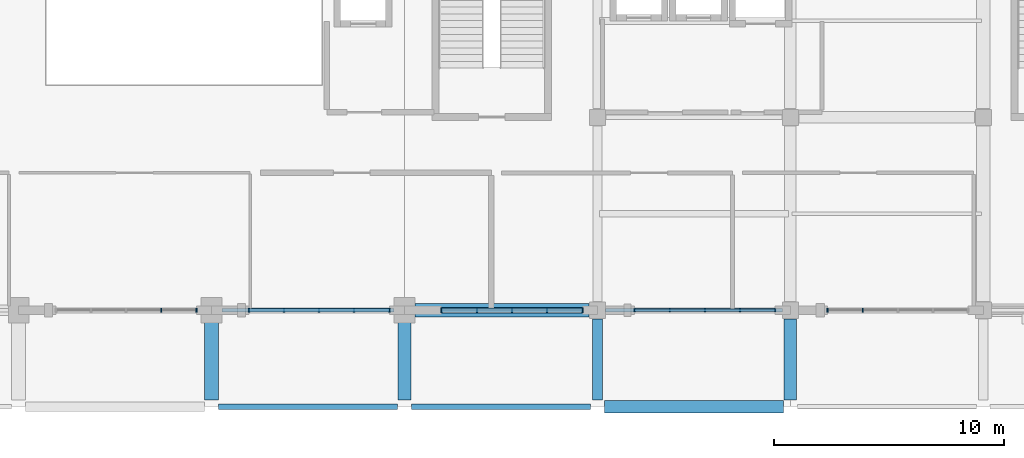
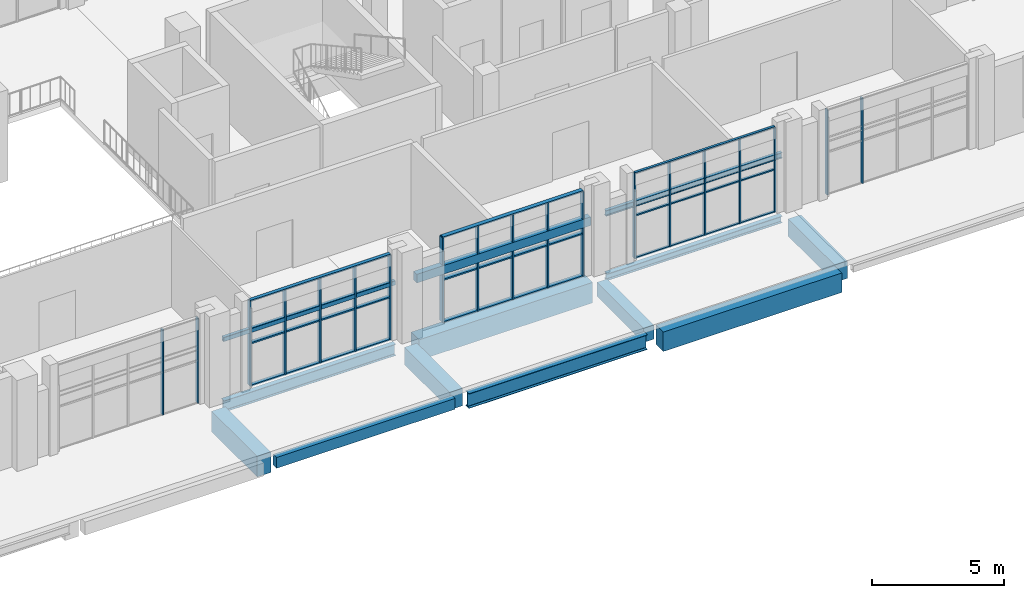
# One storey, part 16 of 59: 28 members, 13 beams, 5 elements without a shape of their own.
"""IFC4 building model written with IfcOpenShell, lengths in metres."""

from ifc_helpers import new_model, si_unit, derived_unit, direction, frame, origin, origin_2d, place, context, subcontext, project, spatial, rectangle, hollow_rectangle, i_section, extrude, material, material_profile, profile_set, type_object, element, aggregate, save


model = new_model("IFC4")

# Units and contexts
model_context = context("Model", 3, precision=1e-05, world=origin(), true_north=direction((0.0, 1.0)))
body_context = subcontext(model_context, "Body", "Model", "MODEL_VIEW")
ifc_project = project(units=[si_unit("LENGTHUNIT", "METRE"), si_unit("AREAUNIT", "SQUARE_METRE"), si_unit("VOLUMEUNIT", "CUBIC_METRE"), si_unit("PLANEANGLEUNIT", "RADIAN"), si_unit("MASSUNIT", "GRAM", prefix="KILO"), derived_unit("THERMALTRANSMITTANCEUNIT", [(si_unit("POWERUNIT", "WATT"), 1), (si_unit("LENGTHUNIT", "METRE"), -2), (si_unit("THERMODYNAMICTEMPERATUREUNIT", "KELVIN"), -1)])], contexts=[model_context])

# Site, building, storey
site_placement = place(None, origin())
site = spatial("IfcSite", under=ifc_project, at=site_placement, CompositionType="ELEMENT")
building_placement = place(site_placement, origin())
building = spatial("IfcBuilding", under=site, at=building_placement, Name="Barrovel Congress Hotel", CompositionType="ELEMENT")
storey_placement = place(building_placement, frame((0.0, 0.0, 9.89990234375)))
storey = spatial("IfcBuildingStorey", under=building, at=storey_placement, Name="L02", CompositionType="ELEMENT", Elevation=9.89990234375)

# Beams
ifc_material_1 = material(Name="Concrete C40", Category="concrete")
ifc_material_profile_1 = material_profile(ifc_material_1, rectangle(XDim=0.25, YDim=0.39990234375, at=origin_2d()), Name="RC250x400")
ifc_profile_set_1 = profile_set([ifc_material_profile_1], Name="Concrete C40")
beam_type_1 = type_object("IfcBeamType", Name="BM-RC250x400", PredefinedType="LINTEL", material=ifc_profile_set_1)
beam_1_placement = place(storey_placement, frame((76.050048828125, 4.199951171875, 2.4501953125), z_axis=(1.0, 0.0, 0.0), x_axis=(0.0, 1.0, 0.0)))
element("IfcBeam", 1, at=beam_1_placement, inside=storey, type_object=beam_type_1, Name="LIN:L02:75.6-84.0", PredefinedType="LINTEL", context=body_context, shape_type="SweptSolid", body=[
    extrude(rectangle(XDim=0.25, YDim=0.39990234375, at=origin_2d()), origin(), (0.0, 0.0, 1.0), 7.599853515625),
])
ifc_material_profile_2 = material_profile(ifc_material_1, rectangle(XDim=0.25, YDim=0.5, at=origin_2d()), Name="RC250x500")
ifc_profile_set_2 = profile_set([ifc_material_profile_2], Name="Concrete C40")
beam_type_2 = type_object("IfcBeamType", Name="BM-RC250x500", PredefinedType="SPANDREL", material=ifc_profile_set_2)
beam_2_placement = place(storey_placement, frame((67.5, 0.0, -0.510009765625), z_axis=(1.0, 0.0, 0.0), x_axis=(0.0, 1.0, 0.0)))
element("IfcBeam", 2, at=beam_2_placement, inside=storey, type_object=beam_type_2, Name="BMX:L02:0.0:67.2-75.6", PredefinedType="SPANDREL", context=body_context, shape_type="SweptSolid", body=[
    extrude(rectangle(XDim=0.25, YDim=0.5, at=origin_2d()), origin(), (0.0, 0.0, 1.0), 7.800048828125),
])
ifc_material_profile_3 = material_profile(ifc_material_1, rectangle(XDim=0.449951171875, YDim=0.64990234375, at=origin_2d()), Name="RC450x650")
ifc_profile_set_3 = profile_set([ifc_material_profile_3], Name="Concrete C40")
beam_type_3 = type_object("IfcBeamType", Name="BM-RC450x650", PredefinedType="BEAM", material=ifc_profile_set_3)
beam_3_placement = place(storey_placement, frame((84.0, 0.300048828125, -0.5849609375), z_axis=(0.0, 1.0, 0.0), x_axis=(-1.0, 0.0, 0.0)))
element("IfcBeam", 3, at=beam_3_placement, inside=storey, type_object=beam_type_3, Name="BMY:L02:84.0:0.0-4.2", PredefinedType="BEAM", context=body_context, shape_type="SweptSolid", body=[
    extrude(rectangle(XDim=0.449951171875, YDim=0.64990234375, at=origin_2d()), origin(), (0.0, 0.0, 1.0), 3.52490234375),
])
ifc_material_profile_4 = material_profile(ifc_material_1, rectangle(XDim=0.550048828125, YDim=0.800048828125, at=origin_2d()), Name="RC550x800")
ifc_profile_set_4 = profile_set([ifc_material_profile_4], Name="Concrete C40")
beam_type_4 = type_object("IfcBeamType", Name="BM-RC550x800", PredefinedType="BEAM", material=ifc_profile_set_4)
beam_4_placement = place(storey_placement, frame((75.60009765625, 0.300048828125, -0.659912109375), z_axis=(0.0, 1.0, 0.0), x_axis=(-1.0, 0.0, 0.0)))
element("IfcBeam", 4, at=beam_4_placement, inside=storey, type_object=beam_type_4, Name="BMY:L02:75.6:0.0-4.2", PredefinedType="BEAM", context=body_context, shape_type="SweptSolid", body=[
    extrude(rectangle(XDim=0.550048828125, YDim=0.800048828125, at=origin_2d()), origin(), (0.0, 0.0, 1.0), 3.449951171875),
])
beam_5_placement = place(storey_placement, frame((92.39990234375, 0.300048828125, -0.659912109375), z_axis=(0.0, 1.0, 0.0), x_axis=(-1.0, 0.0, 0.0)))
element("IfcBeam", 5, at=beam_5_placement, inside=storey, type_object=beam_type_4, Name="BMY:L02:92.4:0.0-4.2", PredefinedType="BEAM", context=body_context, shape_type="SweptSolid", body=[
    extrude(rectangle(XDim=0.550048828125, YDim=0.800048828125, at=origin_2d()), origin(), (0.0, 0.0, 1.0), 3.52490234375),
])
ifc_material_profile_5 = material_profile(ifc_material_1, rectangle(XDim=0.550048828125, YDim=0.89990234375, at=origin_2d()), Name="RC550x900")
ifc_profile_set_5 = profile_set([ifc_material_profile_5], Name="Concrete C40")
beam_type_5 = type_object("IfcBeamType", Name="BM-RC550x900", PredefinedType="BEAM", material=ifc_profile_set_5)
beam_6_placement = place(storey_placement, frame((84.300048828125, 0.0, -0.7099609375), z_axis=(1.0, 0.0, 0.0), x_axis=(0.0, 1.0, 0.0)))
element("IfcBeam", 6, at=beam_6_placement, inside=storey, type_object=beam_type_5, Name="BMX:L02:0.0:84.0-92.4", PredefinedType="BEAM", context=body_context, shape_type="SweptSolid", body=[
    extrude(rectangle(XDim=0.550048828125, YDim=0.89990234375, at=origin_2d()), origin(), (0.0, 0.0, 1.0), 7.800048828125),
])
ifc_material_profile_6 = material_profile(ifc_material_1, rectangle(XDim=0.60009765625, YDim=0.949951171875, at=origin_2d()), Name="RC600x950")
ifc_profile_set_6 = profile_set([ifc_material_profile_6], Name="Concrete C40")
beam_type_6 = type_object("IfcBeamType", Name="BM-RC600x950", PredefinedType="BEAM", material=ifc_profile_set_6)
beam_7_placement = place(storey_placement, frame((76.050048828125, 4.199951171875, -0.73486328125), z_axis=(1.0, 0.0, 0.0), x_axis=(0.0, 1.0, 0.0)))
element("IfcBeam", 7, at=beam_7_placement, inside=storey, type_object=beam_type_6, Name="BMX:L02:4.2:75.6-84.0", PredefinedType="BEAM", context=body_context, shape_type="SweptSolid", body=[
    extrude(rectangle(XDim=0.60009765625, YDim=0.949951171875, at=origin_2d()), origin(), (0.0, 0.0, 1.0), 7.574951171875),
])
beam_8_placement = place(storey_placement, frame((67.199951171875, 0.300048828125, -0.73486328125), z_axis=(0.0, 1.0, 0.0), x_axis=(-1.0, 0.0, 0.0)))
element("IfcBeam", 8, at=beam_8_placement, inside=storey, type_object=beam_type_6, Name="BMY:L02:67.2:0.0-4.2", PredefinedType="BEAM", context=body_context, shape_type="SweptSolid", body=[
    extrude(rectangle(XDim=0.60009765625, YDim=0.949951171875, at=origin_2d()), origin(), (0.0, 0.0, 1.0), 3.449951171875),
])

# Curtain wall, members
ifc_material_2 = material(Name="Anodised Aluminium Alloy 6063-T6", Category="aluminium")
curtain_wall_type = type_object("IfcCurtainWallType", Name="CW-ST-7200x3600", PredefinedType="USERDEFINED", material=ifc_material_2)
curtain_wall_1_placement = place(storey_placement, origin())
curtain_wall_1 = element("IfcCurtainWall", 9, at=curtain_wall_1_placement, inside=storey, type_object=curtain_wall_type, Name="CW:L02:S:10", ObjectType="STICK CURTAIN WALL", PredefinedType="USERDEFINED")
ifc_material_profile_7 = material_profile(ifc_material_2, rectangle(XDim=0.06005859375, YDim=0.139892578125, at=origin_2d()), Name="AL-M60x140")
ifc_profile_set_7 = profile_set([ifc_material_profile_7], Name="Anodised Aluminium Alloy 6063-T6")
member_type_1 = type_object("IfcMemberType", Name="CWM-AL-M60x140", PredefinedType="MULLION", material=ifc_profile_set_7)
member_1_placement = place(storey_placement, frame((85.6201171875, 4.199951171875, 0.0), z_axis=(0.0, 0.0, 1.0), x_axis=(1.0, 0.0, 0.0)))
member_1 = element("IfcMember", 10, at=member_1_placement, type_object=member_type_1, Name="CW:L02:S:10:M0", PredefinedType="MULLION", context=body_context, shape_type="SweptSolid", body=[
    extrude(rectangle(XDim=0.06005859375, YDim=0.139892578125, at=origin_2d()), origin(), (0.0, 0.0, 1.0), 3.920166015625),
])
member_2_placement = place(storey_placement, frame((87.14990234375, 4.199951171875, 0.0), z_axis=(0.0, 0.0, 1.0), x_axis=(1.0, 0.0, 0.0)))
member_2 = element("IfcMember", 11, at=member_2_placement, type_object=member_type_1, Name="CW:L02:S:10:M1", PredefinedType="MULLION", context=body_context, shape_type="SweptSolid", body=[
    extrude(rectangle(XDim=0.06005859375, YDim=0.139892578125, at=origin_2d()), origin(), (0.0, 0.0, 1.0), 3.920166015625),
])
member_3_placement = place(storey_placement, frame((88.679931640625, 4.199951171875, 0.0), z_axis=(0.0, 0.0, 1.0), x_axis=(1.0, 0.0, 0.0)))
member_3 = element("IfcMember", 12, at=member_3_placement, type_object=member_type_1, Name="CW:L02:S:10:M2", PredefinedType="MULLION", context=body_context, shape_type="SweptSolid", body=[
    extrude(rectangle(XDim=0.06005859375, YDim=0.139892578125, at=origin_2d()), origin(), (0.0, 0.0, 1.0), 3.920166015625),
])
member_4_placement = place(storey_placement, frame((90.2099609375, 4.199951171875, 0.0), z_axis=(0.0, 0.0, 1.0), x_axis=(1.0, 0.0, 0.0)))
member_4 = element("IfcMember", 13, at=member_4_placement, type_object=member_type_1, Name="CW:L02:S:10:M3", PredefinedType="MULLION", context=body_context, shape_type="SweptSolid", body=[
    extrude(rectangle(XDim=0.06005859375, YDim=0.139892578125, at=origin_2d()), origin(), (0.0, 0.0, 1.0), 3.920166015625),
])
member_5_placement = place(storey_placement, frame((91.739990234375, 4.199951171875, 0.0), z_axis=(0.0, 0.0, 1.0), x_axis=(1.0, 0.0, 0.0)))
member_5 = element("IfcMember", 14, at=member_5_placement, type_object=member_type_1, Name="CW:L02:S:10:M4", PredefinedType="MULLION", context=body_context, shape_type="SweptSolid", body=[
    extrude(rectangle(XDim=0.06005859375, YDim=0.139892578125, at=origin_2d()), origin(), (0.0, 0.0, 1.0), 3.920166015625),
])

curtain_wall_2_placement = place(storey_placement, origin())
curtain_wall_2 = element("IfcCurtainWall", 15, at=curtain_wall_2_placement, inside=storey, type_object=curtain_wall_type, Name="CW:L02:S:07", ObjectType="STICK CURTAIN WALL", PredefinedType="USERDEFINED")
ifc_material_profile_8 = material_profile(ifc_material_2, rectangle(XDim=0.06005859375, YDim=0.1650390625, at=origin_2d()), Name="AL-M60x165")
ifc_profile_set_8 = profile_set([ifc_material_profile_8], Name="Anodised Aluminium Alloy 6063-T6")
member_type_2 = type_object("IfcMemberType", Name="CWM-AL-M60x165", PredefinedType="MULLION", material=ifc_profile_set_8)
member_6_placement = place(storey_placement, frame((65.010009765625, 4.199951171875, 0.0), z_axis=(0.0, 0.0, 1.0), x_axis=(1.0, 0.0, 0.0)))
member_6 = element("IfcMember", 16, at=member_6_placement, type_object=member_type_2, Name="CW:L02:S:07:M3", PredefinedType="MULLION", context=body_context, shape_type="SweptSolid", body=[
    extrude(rectangle(XDim=0.06005859375, YDim=0.1650390625, at=origin_2d()), origin(), (0.0, 0.0, 1.0), 3.920166015625),
])
member_7_placement = place(storey_placement, frame((66.5400390625, 4.199951171875, 0.0), z_axis=(0.0, 0.0, 1.0), x_axis=(1.0, 0.0, 0.0)))
member_7 = element("IfcMember", 17, at=member_7_placement, type_object=member_type_2, Name="CW:L02:S:07:M4", PredefinedType="MULLION", context=body_context, shape_type="SweptSolid", body=[
    extrude(rectangle(XDim=0.06005859375, YDim=0.1650390625, at=origin_2d()), origin(), (0.0, 0.0, 1.0), 3.920166015625),
])
aggregate(curtain_wall_2, [member_6, member_7])

curtain_wall_3_placement = place(storey_placement, origin())
curtain_wall_3 = element("IfcCurtainWall", 18, at=curtain_wall_3_placement, inside=storey, type_object=curtain_wall_type, Name="CW:L02:S:11", ObjectType="STICK CURTAIN WALL", PredefinedType="USERDEFINED")
member_8_placement = place(storey_placement, frame((94.02001953125, 4.199951171875, 0.0), z_axis=(0.0, 0.0, 1.0), x_axis=(1.0, 0.0, 0.0)))
member_8 = element("IfcMember", 19, at=member_8_placement, type_object=member_type_2, Name="CW:L02:S:11:M0", PredefinedType="MULLION", context=body_context, shape_type="SweptSolid", body=[
    extrude(rectangle(XDim=0.06005859375, YDim=0.1650390625, at=origin_2d()), origin(), (0.0, 0.0, 1.0), 3.920166015625),
])
member_9_placement = place(storey_placement, frame((95.550048828125, 4.199951171875, 0.0), z_axis=(0.0, 0.0, 1.0), x_axis=(1.0, 0.0, 0.0)))
member_9 = element("IfcMember", 20, at=member_9_placement, type_object=member_type_2, Name="CW:L02:S:11:M1", PredefinedType="MULLION", context=body_context, shape_type="SweptSolid", body=[
    extrude(rectangle(XDim=0.06005859375, YDim=0.1650390625, at=origin_2d()), origin(), (0.0, 0.0, 1.0), 3.920166015625),
])
aggregate(curtain_wall_3, [member_8, member_9])

curtain_wall_4_placement = place(storey_placement, origin())
curtain_wall_4 = element("IfcCurtainWall", 21, at=curtain_wall_4_placement, inside=storey, type_object=curtain_wall_type, Name="CW:L02:S:08", ObjectType="STICK CURTAIN WALL", PredefinedType="USERDEFINED")
ifc_material_profile_9 = material_profile(ifc_material_2, rectangle(XDim=0.06494140625, YDim=0.18994140625, at=origin_2d()), Name="AL-M65x190")
ifc_profile_set_9 = profile_set([ifc_material_profile_9], Name="Anodised Aluminium Alloy 6063-T6")
member_type_3 = type_object("IfcMemberType", Name="CWM-AL-M65x190", PredefinedType="MULLION", material=ifc_profile_set_9)
member_10_placement = place(storey_placement, frame((68.820068359375, 4.199951171875, 0.0), z_axis=(0.0, 0.0, 1.0), x_axis=(1.0, 0.0, 0.0)))
member_10 = element("IfcMember", 22, at=member_10_placement, type_object=member_type_3, Name="CW:L02:S:08:M0", PredefinedType="MULLION", context=body_context, shape_type="SweptSolid", body=[
    extrude(rectangle(XDim=0.06494140625, YDim=0.18994140625, at=origin_2d()), origin(), (0.0, 0.0, 1.0), 3.920166015625),
])
member_11_placement = place(storey_placement, frame((70.35009765625, 4.199951171875, 0.0), z_axis=(0.0, 0.0, 1.0), x_axis=(1.0, 0.0, 0.0)))
member_11 = element("IfcMember", 23, at=member_11_placement, type_object=member_type_3, Name="CW:L02:S:08:M1", PredefinedType="MULLION", context=body_context, shape_type="SweptSolid", body=[
    extrude(rectangle(XDim=0.06494140625, YDim=0.18994140625, at=origin_2d()), origin(), (0.0, 0.0, 1.0), 3.920166015625),
])
member_12_placement = place(storey_placement, frame((71.8798828125, 4.199951171875, 0.0), z_axis=(0.0, 0.0, 1.0), x_axis=(1.0, 0.0, 0.0)))
member_12 = element("IfcMember", 24, at=member_12_placement, type_object=member_type_3, Name="CW:L02:S:08:M2", PredefinedType="MULLION", context=body_context, shape_type="SweptSolid", body=[
    extrude(rectangle(XDim=0.06494140625, YDim=0.18994140625, at=origin_2d()), origin(), (0.0, 0.0, 1.0), 3.920166015625),
])
member_13_placement = place(storey_placement, frame((73.409912109375, 4.199951171875, 0.0), z_axis=(0.0, 0.0, 1.0), x_axis=(1.0, 0.0, 0.0)))
member_13 = element("IfcMember", 25, at=member_13_placement, type_object=member_type_3, Name="CW:L02:S:08:M3", PredefinedType="MULLION", context=body_context, shape_type="SweptSolid", body=[
    extrude(rectangle(XDim=0.06494140625, YDim=0.18994140625, at=origin_2d()), origin(), (0.0, 0.0, 1.0), 3.920166015625),
])
member_14_placement = place(storey_placement, frame((74.93994140625, 4.199951171875, 0.0), z_axis=(0.0, 0.0, 1.0), x_axis=(1.0, 0.0, 0.0)))
member_14 = element("IfcMember", 26, at=member_14_placement, type_object=member_type_3, Name="CW:L02:S:08:M4", PredefinedType="MULLION", context=body_context, shape_type="SweptSolid", body=[
    extrude(rectangle(XDim=0.06494140625, YDim=0.18994140625, at=origin_2d()), origin(), (0.0, 0.0, 1.0), 3.920166015625),
])

curtain_wall_5_placement = place(storey_placement, origin())
curtain_wall_5 = element("IfcCurtainWall", 27, at=curtain_wall_5_placement, inside=storey, type_object=curtain_wall_type, Name="CW:L02:S:09", ObjectType="STICK CURTAIN WALL", PredefinedType="USERDEFINED")
ifc_material_profile_10 = material_profile(ifc_material_2, rectangle(XDim=0.06494140625, YDim=0.219970703125, at=origin_2d()), Name="AL-M65x220")
ifc_profile_set_10 = profile_set([ifc_material_profile_10], Name="Anodised Aluminium Alloy 6063-T6")
member_type_4 = type_object("IfcMemberType", Name="CWM-AL-M65x220", PredefinedType="MULLION", material=ifc_profile_set_10)
member_15_placement = place(storey_placement, frame((77.219970703125, 4.199951171875, 0.0), z_axis=(0.0, 0.0, 1.0), x_axis=(1.0, 0.0, 0.0)))
member_15 = element("IfcMember", 28, at=member_15_placement, type_object=member_type_4, Name="CW:L02:S:09:M0", PredefinedType="MULLION", context=body_context, shape_type="SweptSolid", body=[
    extrude(rectangle(XDim=0.06494140625, YDim=0.219970703125, at=origin_2d()), origin(), (0.0, 0.0, 1.0), 3.920166015625),
])
member_16_placement = place(storey_placement, frame((78.75, 4.199951171875, 0.0), z_axis=(0.0, 0.0, 1.0), x_axis=(1.0, 0.0, 0.0)))
member_16 = element("IfcMember", 29, at=member_16_placement, type_object=member_type_4, Name="CW:L02:S:09:M1", PredefinedType="MULLION", context=body_context, shape_type="SweptSolid", body=[
    extrude(rectangle(XDim=0.06494140625, YDim=0.219970703125, at=origin_2d()), origin(), (0.0, 0.0, 1.0), 3.920166015625),
])
member_17_placement = place(storey_placement, frame((80.280029296875, 4.199951171875, 0.0), z_axis=(0.0, 0.0, 1.0), x_axis=(1.0, 0.0, 0.0)))
member_17 = element("IfcMember", 30, at=member_17_placement, type_object=member_type_4, Name="CW:L02:S:09:M2", PredefinedType="MULLION", context=body_context, shape_type="SweptSolid", body=[
    extrude(rectangle(XDim=0.06494140625, YDim=0.219970703125, at=origin_2d()), origin(), (0.0, 0.0, 1.0), 3.920166015625),
])
member_18_placement = place(storey_placement, frame((81.81005859375, 4.199951171875, 0.0), z_axis=(0.0, 0.0, 1.0), x_axis=(1.0, 0.0, 0.0)))
member_18 = element("IfcMember", 31, at=member_18_placement, type_object=member_type_4, Name="CW:L02:S:09:M3", PredefinedType="MULLION", context=body_context, shape_type="SweptSolid", body=[
    extrude(rectangle(XDim=0.06494140625, YDim=0.219970703125, at=origin_2d()), origin(), (0.0, 0.0, 1.0), 3.920166015625),
])
member_19_placement = place(storey_placement, frame((83.340087890625, 4.199951171875, 0.0), z_axis=(0.0, 0.0, 1.0), x_axis=(1.0, 0.0, 0.0)))
member_19 = element("IfcMember", 32, at=member_19_placement, type_object=member_type_4, Name="CW:L02:S:09:M4", PredefinedType="MULLION", context=body_context, shape_type="SweptSolid", body=[
    extrude(rectangle(XDim=0.06494140625, YDim=0.219970703125, at=origin_2d()), origin(), (0.0, 0.0, 1.0), 3.920166015625),
])

# Member
ifc_material_profile_11 = material_profile(ifc_material_2, rectangle(XDim=0.10498046875, YDim=0.06005859375, at=origin_2d()), Name="AL-T60x105")
ifc_profile_set_11 = profile_set([ifc_material_profile_11], Name="Anodised Aluminium Alloy 6063-T6")
member_type_5 = type_object("IfcMemberType", Name="CWT-AL-T60x105", PredefinedType="USERDEFINED", material=ifc_profile_set_11)
member_20_placement = place(storey_placement, frame((85.6201171875, 4.199951171875, 0.0), z_axis=(1.0, 0.0, 0.0), x_axis=(0.0, 1.0, 0.0)))
member_20 = element("IfcMember", 33, at=member_20_placement, type_object=member_type_5, Name="CW:L02:S:10:T0", ObjectType="TRANSOM", PredefinedType="USERDEFINED", context=body_context, shape_type="SweptSolid", body=[
    extrude(rectangle(XDim=0.10498046875, YDim=0.06005859375, at=origin_2d()), origin(), (0.0, 0.0, 1.0), 6.119873046875),
])

member_21_placement = place(storey_placement, frame((85.6201171875, 4.199951171875, 1.960205078125), z_axis=(1.0, 0.0, 0.0), x_axis=(0.0, 1.0, 0.0)))
member_21 = element("IfcMember", 34, at=member_21_placement, type_object=member_type_5, Name="CW:L02:S:10:T1", ObjectType="TRANSOM", PredefinedType="USERDEFINED", context=body_context, shape_type="SweptSolid", body=[
    extrude(rectangle(XDim=0.10498046875, YDim=0.06005859375, at=origin_2d()), origin(), (0.0, 0.0, 1.0), 6.119873046875),
])

member_22_placement = place(storey_placement, frame((85.6201171875, 4.199951171875, 3.920166015625), z_axis=(1.0, 0.0, 0.0), x_axis=(0.0, 1.0, 0.0)))
member_22 = element("IfcMember", 35, at=member_22_placement, type_object=member_type_5, Name="CW:L02:S:10:T2", ObjectType="TRANSOM", PredefinedType="USERDEFINED", context=body_context, shape_type="SweptSolid", body=[
    extrude(rectangle(XDim=0.10498046875, YDim=0.06005859375, at=origin_2d()), origin(), (0.0, 0.0, 1.0), 6.119873046875),
])

aggregate(curtain_wall_1, [member_1, member_2, member_3, member_4, member_5, member_20, member_21, member_22])

ifc_material_profile_12 = material_profile(ifc_material_2, rectangle(XDim=0.14990234375, YDim=0.06494140625, at=origin_2d()), Name="AL-T65x150")
ifc_profile_set_12 = profile_set([ifc_material_profile_12], Name="Anodised Aluminium Alloy 6063-T6")
member_type_6 = type_object("IfcMemberType", Name="CWT-AL-T65x150", PredefinedType="USERDEFINED", material=ifc_profile_set_12)
member_23_placement = place(storey_placement, frame((68.820068359375, 4.199951171875, 0.0), z_axis=(1.0, 0.0, 0.0), x_axis=(0.0, 1.0, 0.0)))
member_23 = element("IfcMember", 36, at=member_23_placement, type_object=member_type_6, Name="CW:L02:S:08:T0", ObjectType="TRANSOM", PredefinedType="USERDEFINED", context=body_context, shape_type="SweptSolid", body=[
    extrude(rectangle(XDim=0.14990234375, YDim=0.06494140625, at=origin_2d()), origin(), (0.0, 0.0, 1.0), 6.119873046875),
])

member_24_placement = place(storey_placement, frame((68.820068359375, 4.199951171875, 1.960205078125), z_axis=(1.0, 0.0, 0.0), x_axis=(0.0, 1.0, 0.0)))
member_24 = element("IfcMember", 37, at=member_24_placement, type_object=member_type_6, Name="CW:L02:S:08:T1", ObjectType="TRANSOM", PredefinedType="USERDEFINED", context=body_context, shape_type="SweptSolid", body=[
    extrude(rectangle(XDim=0.14990234375, YDim=0.06494140625, at=origin_2d()), origin(), (0.0, 0.0, 1.0), 6.119873046875),
])

member_25_placement = place(storey_placement, frame((68.820068359375, 4.199951171875, 3.920166015625), z_axis=(1.0, 0.0, 0.0), x_axis=(0.0, 1.0, 0.0)))
member_25 = element("IfcMember", 38, at=member_25_placement, type_object=member_type_6, Name="CW:L02:S:08:T2", ObjectType="TRANSOM", PredefinedType="USERDEFINED", context=body_context, shape_type="SweptSolid", body=[
    extrude(rectangle(XDim=0.14990234375, YDim=0.06494140625, at=origin_2d()), origin(), (0.0, 0.0, 1.0), 6.119873046875),
])

aggregate(curtain_wall_4, [member_10, member_11, member_12, member_13, member_14, member_23, member_24, member_25])

ifc_material_profile_13 = material_profile(ifc_material_2, rectangle(XDim=0.179931640625, YDim=0.06494140625, at=origin_2d()), Name="AL-T65x180")
ifc_profile_set_13 = profile_set([ifc_material_profile_13], Name="Anodised Aluminium Alloy 6063-T6")
member_type_7 = type_object("IfcMemberType", Name="CWT-AL-T65x180", PredefinedType="USERDEFINED", material=ifc_profile_set_13)
member_26_placement = place(storey_placement, frame((77.219970703125, 4.199951171875, 0.0), z_axis=(1.0, 0.0, 0.0), x_axis=(0.0, 1.0, 0.0)))
member_26 = element("IfcMember", 39, at=member_26_placement, type_object=member_type_7, Name="CW:L02:S:09:T0", ObjectType="TRANSOM", PredefinedType="USERDEFINED", context=body_context, shape_type="SweptSolid", body=[
    extrude(rectangle(XDim=0.179931640625, YDim=0.06494140625, at=origin_2d()), origin(), (0.0, 0.0, 1.0), 6.1201171875),
])

member_27_placement = place(storey_placement, frame((77.219970703125, 4.199951171875, 1.960205078125), z_axis=(1.0, 0.0, 0.0), x_axis=(0.0, 1.0, 0.0)))
member_27 = element("IfcMember", 40, at=member_27_placement, type_object=member_type_7, Name="CW:L02:S:09:T1", ObjectType="TRANSOM", PredefinedType="USERDEFINED", context=body_context, shape_type="SweptSolid", body=[
    extrude(rectangle(XDim=0.179931640625, YDim=0.06494140625, at=origin_2d()), origin(), (0.0, 0.0, 1.0), 6.1201171875),
])

member_28_placement = place(storey_placement, frame((77.219970703125, 4.199951171875, 3.920166015625), z_axis=(1.0, 0.0, 0.0), x_axis=(0.0, 1.0, 0.0)))
member_28 = element("IfcMember", 41, at=member_28_placement, type_object=member_type_7, Name="CW:L02:S:09:T2", ObjectType="TRANSOM", PredefinedType="USERDEFINED", context=body_context, shape_type="SweptSolid", body=[
    extrude(rectangle(XDim=0.179931640625, YDim=0.06494140625, at=origin_2d()), origin(), (0.0, 0.0, 1.0), 6.1201171875),
])

aggregate(curtain_wall_5, [member_15, member_16, member_17, member_18, member_19, member_26, member_27, member_28])

# Beams
ifc_material_3 = material(Name="Steel ASTM A500 Grade C", Category="steel")
ifc_material_profile_14 = material_profile(ifc_material_3, hollow_rectangle(XDim=0.15234375, YDim=0.203125, WallThickness=0.0087890625, InnerFilletRadius=0.0087890625, OuterFilletRadius=0.017578125, at=origin_2d()), Name="HSS203x152x9.5")
ifc_profile_set_14 = profile_set([ifc_material_profile_14], Name="Steel ASTM A500 Grade C")
beam_type_7 = type_object("IfcBeamType", Name="SBM-HSS203x152x9.5", PredefinedType="LINTEL", material=ifc_profile_set_14)
beam_9_placement = place(storey_placement, frame((67.64990234375, 4.199951171875, 2.548583984375), z_axis=(1.0, 0.0, 0.0), x_axis=(0.0, 1.0, 0.0)))
element("IfcBeam", 42, at=beam_9_placement, inside=storey, type_object=beam_type_7, Name="LIN:L02:67.2-75.6", PredefinedType="LINTEL", context=body_context, shape_type="SweptSolid", body=[
    extrude(hollow_rectangle(XDim=0.15234375, YDim=0.203125, WallThickness=0.0087890625, InnerFilletRadius=0.0087890625, OuterFilletRadius=0.017578125, at=origin_2d()), origin(), (0.0, 0.0, 1.0), 7.5),
])
ifc_material_4 = material(Name="Steel ASTM A992 Grade 50", Category="steel")
ifc_material_profile_15 = material_profile(ifc_material_4, i_section(OverallWidth=0.14599609375, OverallDepth=0.258056640625, WebThickness=0.006103515625, FlangeThickness=0.009033203125, FilletRadius=0.010009765625, at=origin_2d()), Name="W250x33")
ifc_profile_set_15 = profile_set([ifc_material_profile_15], Name="Steel ASTM A992 Grade 50")
beam_type_8 = type_object("IfcBeamType", Name="SBM-W250x33", PredefinedType="LINTEL", material=ifc_profile_set_15)
beam_10_placement = place(storey_placement, frame((84.35009765625, 4.199951171875, 2.52099609375), z_axis=(1.0, 0.0, 0.0), x_axis=(0.0, 1.0, 0.0)))
element("IfcBeam", 43, at=beam_10_placement, inside=storey, type_object=beam_type_8, Name="LIN:L02:84.0-92.4", PredefinedType="LINTEL", context=body_context, shape_type="SweptSolid", body=[
    extrude(i_section(OverallWidth=0.14599609375, OverallDepth=0.258056640625, WebThickness=0.006103515625, FlangeThickness=0.009033203125, FilletRadius=0.010009765625, at=origin_2d()), origin(), (0.0, 0.0, 1.0), 7.699951171875),
])
ifc_material_profile_16 = material_profile(ifc_material_4, i_section(OverallWidth=0.205078125, OverallDepth=0.31005859375, WebThickness=0.009521484375, FlangeThickness=0.016357421875, FilletRadius=0.012939453125, at=origin_2d()), Name="W310x74")
ifc_profile_set_16 = profile_set([ifc_material_profile_16], Name="Steel ASTM A992 Grade 50")
beam_type_9 = type_object("IfcBeamType", Name="SBM-W310x74", PredefinedType="SPANDREL", material=ifc_profile_set_16)
beam_11_placement = place(storey_placement, frame((84.375, 4.199951171875, -0.414794921875), z_axis=(1.0, 0.0, 0.0), x_axis=(0.0, 1.0, 0.0)))
element("IfcBeam", 44, at=beam_11_placement, inside=storey, type_object=beam_type_9, Name="BMX:L02:4.2:84.0-92.4", PredefinedType="SPANDREL", context=body_context, shape_type="SweptSolid", body=[
    extrude(i_section(OverallWidth=0.205078125, OverallDepth=0.31005859375, WebThickness=0.009521484375, FlangeThickness=0.016357421875, FilletRadius=0.012939453125, at=origin_2d()), origin(), (0.0, 0.0, 1.0), 7.64990234375),
])
ifc_material_profile_17 = material_profile(ifc_material_4, i_section(OverallWidth=0.208984375, OverallDepth=0.529052734375, WebThickness=0.009765625, FlangeThickness=0.013671875, FilletRadius=0.013916015625, at=origin_2d()), Name="W530x74")
ifc_profile_set_17 = profile_set([ifc_material_profile_17], Name="Steel ASTM A992 Grade 50")
beam_type_10 = type_object("IfcBeamType", Name="SBM-W530x74", PredefinedType="BEAM", material=ifc_profile_set_17)
beam_12_placement = place(storey_placement, frame((67.64990234375, 4.199951171875, -0.5244140625), z_axis=(1.0, 0.0, 0.0), x_axis=(0.0, 1.0, 0.0)))
element("IfcBeam", 45, at=beam_12_placement, inside=storey, type_object=beam_type_10, Name="BMX:L02:4.2:67.2-75.6", PredefinedType="BEAM", context=body_context, shape_type="SweptSolid", body=[
    extrude(i_section(OverallWidth=0.208984375, OverallDepth=0.529052734375, WebThickness=0.009765625, FlangeThickness=0.013671875, FilletRadius=0.013916015625, at=origin_2d()), origin(), (0.0, 0.0, 1.0), 7.5),
])
ifc_material_profile_18 = material_profile(ifc_material_4, i_section(OverallWidth=0.25390625, OverallDepth=0.68408203125, WebThickness=0.012451171875, FlangeThickness=0.01904296875, FilletRadius=0.014892578125, at=origin_2d()), Name="W690x140")
ifc_profile_set_18 = profile_set([ifc_material_profile_18], Name="Steel ASTM A992 Grade 50")
beam_type_11 = type_object("IfcBeamType", Name="SBM-W690x140", PredefinedType="BEAM", material=ifc_profile_set_18)
beam_13_placement = place(storey_placement, frame((75.89990234375, 0.0, -0.601806640625), z_axis=(1.0, 0.0, 0.0), x_axis=(0.0, 1.0, 0.0)))
element("IfcBeam", 46, at=beam_13_placement, inside=storey, type_object=beam_type_11, Name="BMX:L02:0.0:75.6-84.0", PredefinedType="BEAM", context=body_context, shape_type="SweptSolid", body=[
    extrude(i_section(OverallWidth=0.25390625, OverallDepth=0.68408203125, WebThickness=0.012451171875, FlangeThickness=0.01904296875, FilletRadius=0.014892578125, at=origin_2d()), origin(), (0.0, 0.0, 1.0), 7.800048828125),
])

save(model, "model.ifc")
